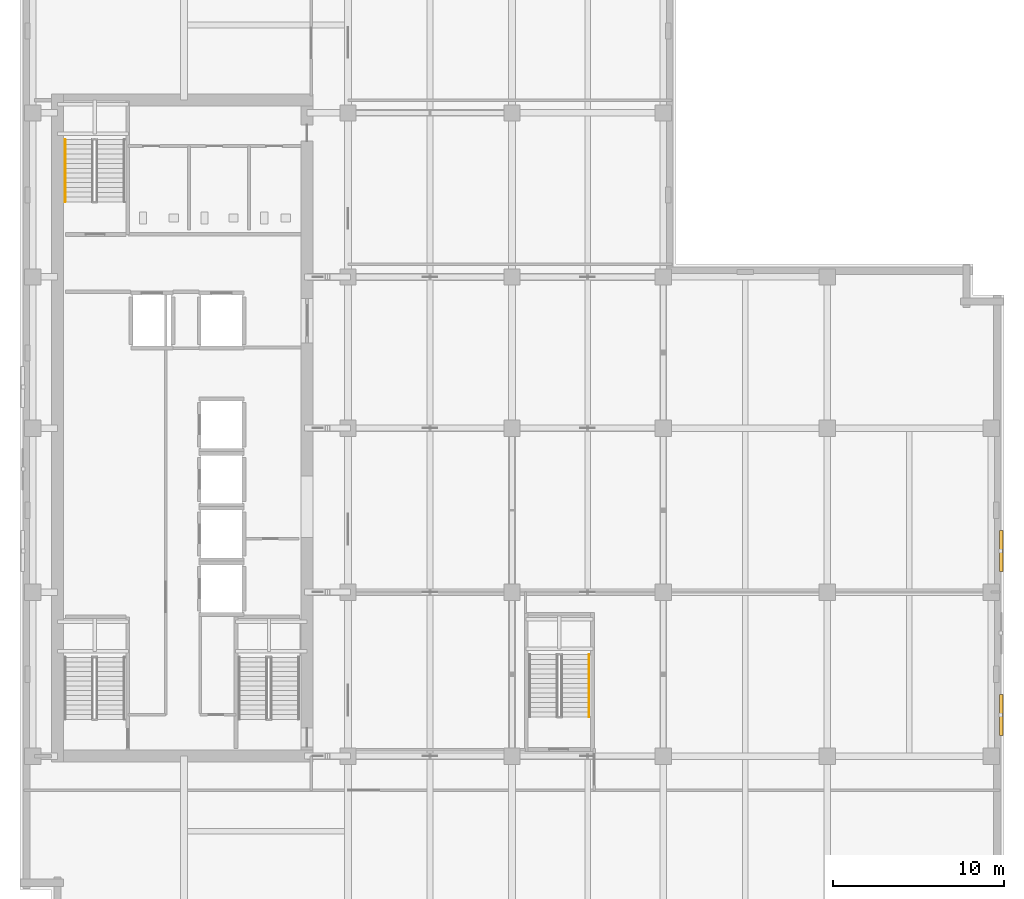
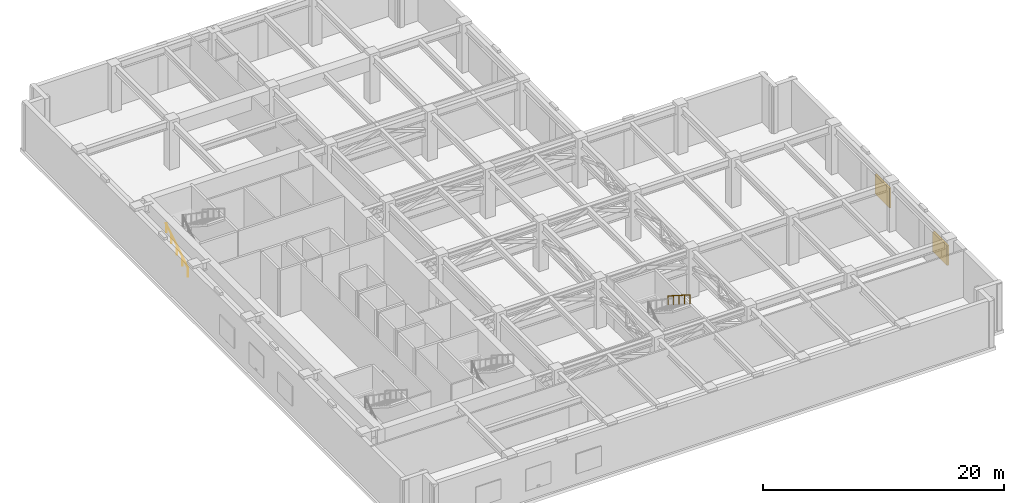
# One storey, part 19 of 21: 2 railings, 2 shading devices.
"""IFC4 building model written with IfcOpenShell, lengths in metres."""

import ifcopenshell
import ifcopenshell.guid

model = None  # the IFC model being written
_history = None  # IfcOwnerHistory: only IFC2X3 demands one
_inside = {}  # id of a spatial element -> (the spatial element, [elements in it])
_under = {}  # id of a project, library or spatial element -> (it, [spatial elements below it])
_declared = {}  # id of a project -> (the project, [libraries it declares])
_typed = {}  # id of a type object -> (the type object, [elements of that type])
_made_of = {}  # id of a material, layer set ... -> (it, [elements and type objects made of it])


def new_model(schema):
    """Start an empty IFC model of exactly this schema.

    Asked for "IFC4X3", IfcOpenShell would pick the latest addendum, in which some entities
    have other attributes; the version numbers below select the first issue.
    IFC2X3 requires an IfcOwnerHistory on every rooted entity: one is made here for all.
    """
    global model, _history
    if schema == "IFC4X3":
        model = ifcopenshell.file(schema_version=(4, 3, 0, 0))
    else:
        model = ifcopenshell.file(schema=schema)
    _inside.clear()
    _under.clear()
    _declared.clear()
    _typed.clear()
    _made_of.clear()
    _history = None
    if model.schema == "IFC2X3":
        org = make("IfcOrganization", Name="unknown")
        user = make(
            "IfcPersonAndOrganization",
            ThePerson=make("IfcPerson", FamilyName="unknown"),
            TheOrganization=org,
        )
        app = make(
            "IfcApplication",
            ApplicationDeveloper=org,
            Version="unknown",
            ApplicationFullName="unknown",
            ApplicationIdentifier="unknown",
        )
        _history = make(
            "IfcOwnerHistory",
            OwningUser=user,
            OwningApplication=app,
            ChangeAction="ADDED",
            CreationDate=0,
        )
    return model


def make(cls, **values):
    """One entity of the class cls with the attributes given. An attribute that is None is left unset."""
    return model.create_entity(
        cls, **{name: value for name, value in values.items() if value is not None}
    )


def rooted(cls, **values):
    """An entity with a GlobalId (a new one), such as an element, a storey or a relation."""
    return make(cls, GlobalId=ifcopenshell.guid.new(), OwnerHistory=_history, **values)


def si_unit(unit_type, name, prefix=None):
    """IfcSIUnit, for example si_unit("LENGTHUNIT", "METRE", prefix="MILLI")."""
    return make("IfcSIUnit", UnitType=unit_type, Prefix=prefix, Name=name)


def assignment(units):
    """IfcUnitAssignment: the units of a project."""
    return None if units is None else make("IfcUnitAssignment", Units=units)


def point(xyz):
    """IfcCartesianPoint."""
    return None if xyz is None else make("IfcCartesianPoint", Coordinates=xyz)


def direction(xyz):
    """IfcDirection."""
    return None if xyz is None else make("IfcDirection", DirectionRatios=xyz)


def frame(location, z_axis=None, x_axis=None):
    """IfcAxis2Placement3D, a coordinate frame: its origin and axes. An axis left out is left unset."""
    return make(
        "IfcAxis2Placement3D",
        Location=point(location),
        Axis=direction(z_axis),
        RefDirection=direction(x_axis),
    )


def frame_2d(location, x_axis=None):
    """IfcAxis2Placement2D, a coordinate frame in the plane: its origin and x axis."""
    return make(
        "IfcAxis2Placement2D", Location=point(location), RefDirection=direction(x_axis)
    )


def origin():
    """The frame at (0, 0, 0) with its axes left unset."""
    return frame((0.0, 0.0, 0.0))


def origin_2d():
    """The frame at (0, 0) in the plane with its x axis left unset."""
    return frame_2d((0.0, 0.0))


def place(relative_to, where):
    """IfcLocalPlacement: puts the frame where relative to a parent placement (None: the world)."""
    return make(
        "IfcLocalPlacement", PlacementRelTo=relative_to, RelativePlacement=where
    )


def context(
    kind, dimensions, precision=None, world=None, true_north=None, identifier=None
):
    """IfcGeometricRepresentationContext, for example the 3D "Model" context."""
    return make(
        "IfcGeometricRepresentationContext",
        ContextIdentifier=identifier,
        ContextType=kind,
        CoordinateSpaceDimension=dimensions,
        Precision=precision,
        WorldCoordinateSystem=world,
        TrueNorth=true_north,
    )


def subcontext(parent, identifier, kind, view, scale=None):
    """IfcGeometricRepresentationSubContext, for example "Body" below "Model"."""
    return make(
        "IfcGeometricRepresentationSubContext",
        ContextIdentifier=identifier,
        ContextType=kind,
        ParentContext=parent,
        TargetScale=scale,
        TargetView=view,
    )


def project(units=None, contexts=None):
    """IfcProject with its units and contexts."""
    return rooted(
        "IfcProject",
        Name="project",
        RepresentationContexts=contexts,
        UnitsInContext=assignment(units),
    )


def spatial(cls, under=None, at=None, **own):
    """A site, building, storey or space (cls), placed at a placement, below another one or the project."""
    s = rooted(cls, ObjectPlacement=at, **own)
    if under is not None:
        _under.setdefault(under.id(), (under, []))[1].append(s)
    return s


def profile(cls, at=None, kind="AREA", **sizes):
    """A parametric profile (cls). Its sizes go by their IFC names, for example OverallWidth=200.0."""
    return make(cls, ProfileType=kind, Position=at, **sizes)


def rectangle(**sizes):
    """IfcRectangleProfileDef."""
    return profile("IfcRectangleProfileDef", **sizes)


def circle(**sizes):
    """IfcCircleProfileDef."""
    return profile("IfcCircleProfileDef", **sizes)


def extrude(swept, where, along, depth):
    """IfcExtrudedAreaSolid: the profile swept, set in the frame where, extruded along a direction by depth."""
    return make(
        "IfcExtrudedAreaSolid",
        SweptArea=swept,
        Position=where,
        ExtrudedDirection=direction(along),
        Depth=depth,
    )


def shape(context_of_items, identifier, shape_type, items):
    """IfcShapeRepresentation: the items that make up one representation, for example the "Body"."""
    return make(
        "IfcShapeRepresentation",
        ContextOfItems=context_of_items,
        RepresentationIdentifier=identifier,
        RepresentationType=shape_type,
        Items=items,
    )


def material(Name=None, Category=None):
    """IfcMaterial."""
    return make("IfcMaterial", Name=Name, Category=Category)


def layer(
    of_material, thickness, ventilated=None, Name=None, Category=None, Priority=None
):
    """IfcMaterialLayer: one layer of a wall or slab, of a material (None: an air gap)."""
    return make(
        "IfcMaterialLayer",
        Material=of_material,
        LayerThickness=thickness,
        IsVentilated=ventilated,
        Name=Name,
        Category=Category,
        Priority=Priority,
    )


def layer_set(layers, Name=None):
    """IfcMaterialLayerSet."""
    return make("IfcMaterialLayerSet", MaterialLayers=layers, LayerSetName=Name)


def made_of(thing, what):
    """Note that an element or type object is made of a material, layer set ...; save() writes the relation."""
    if what is not None:
        _made_of.setdefault(what.id(), (what, []))[1].append(thing)
    return thing


def type_object(cls, material=None, **own):
    """A type object (cls), such as IfcWallType, which elements share."""
    return made_of(rooted(cls, **own), material)


def element(
    cls,
    number,
    at=None,
    inside=None,
    cuts=None,
    type_object=None,
    material=None,
    context=None,
    identifier="Body",
    shape_type=None,
    held_by="IfcProductDefinitionShape",
    body=None,
    shapes=None,
    **own,
):
    """One element of the class cls, such as IfcWall. Its Tag is "e" and its number.

    at: its placement. inside: the storey or other place that contains it. cuts: it is an
    opening in that element (IfcRelVoidsElement). A single representation is given by context,
    identifier, shape_type and body (its items); several are given by shapes. held_by: the class
    of the entity that holds the representations. save() writes the other relations.
    """
    e = rooted(cls, Tag="e%d" % number, ObjectPlacement=at, **own)
    if body is not None:
        shapes = [shape(context, identifier, shape_type, body)]
    if shapes is not None:
        e.Representation = make(held_by, Representations=shapes)
    if inside is not None:
        _inside.setdefault(inside.id(), (inside, []))[1].append(e)
    if cuts is not None:
        rooted(
            "IfcRelVoidsElement", RelatingBuildingElement=cuts, RelatedOpeningElement=e
        )
    if type_object is not None:
        _typed.setdefault(type_object.id(), (type_object, []))[1].append(e)
    return made_of(e, material)


def aggregate(whole, parts):
    """IfcRelAggregates: a whole, such as a stair, and the parts it consists of."""
    return rooted("IfcRelAggregates", RelatingObject=whole, RelatedObjects=parts)


def save(model, path):
    """Write the relations noted so far, then the file.

    IfcRelAggregates (storeys below a building ...), IfcRelContainedInSpatialStructure (elements
    in a storey), IfcRelDefinesByType, IfcRelAssociatesMaterial and IfcRelDeclares: one each for
    every whole, place, type object, material and project.
    """
    for whole, parts in _under.values():
        aggregate(whole, parts)
    for where, things in _inside.values():
        rooted(
            "IfcRelContainedInSpatialStructure",
            RelatedElements=things,
            RelatingStructure=where,
        )
    for kind, things in _typed.values():
        rooted("IfcRelDefinesByType", RelatedObjects=things, RelatingType=kind)
    for what, things in _made_of.values():
        rooted("IfcRelAssociatesMaterial", RelatedObjects=things, RelatingMaterial=what)
    for by, libraries in _declared.values():
        rooted("IfcRelDeclares", RelatingContext=by, RelatedDefinitions=libraries)
    model.write(path)


model = new_model("IFC4")

# Units and contexts
model_context = context("Model", 3, precision=1e-05, world=origin(), true_north=direction((0.0, 1.0)))
body_context = subcontext(model_context, "Body", "Model", "MODEL_VIEW")
ifc_project = project(units=[si_unit("LENGTHUNIT", "METRE"), si_unit("AREAUNIT", "SQUARE_METRE"), si_unit("VOLUMEUNIT", "CUBIC_METRE"), si_unit("PLANEANGLEUNIT", "RADIAN"), si_unit("MASSUNIT", "GRAM", prefix="KILO")], contexts=[model_context])

# Site, building, storey
site_placement = place(None, origin())
site = spatial("IfcSite", under=ifc_project, at=site_placement, CompositionType="ELEMENT")
building_placement = place(site_placement, origin())
building = spatial("IfcBuilding", under=site, at=building_placement, Name="Norrvale University Quadrangle", CompositionType="ELEMENT")
storey_placement = place(building_placement, frame((0.0, 0.0, 194.0)))
storey = spatial("IfcBuildingStorey", under=building, at=storey_placement, Name="L49", CompositionType="ELEMENT", Elevation=194.0)

# Railings
ifc_material_1 = material(Name="Stainless Steel 316L Handrail", Category="steel")
railing_type = type_object("IfcRailingType", Name="Railing Stair Handrail 920", PredefinedType="HANDRAIL", material=ifc_material_1)
railing_1_placement = place(storey_placement, frame((2.639892578125, 42.050048828125, 0.1787109375)))
element("IfcRailing", 1, at=railing_1_placement, inside=storey, type_object=railing_type, Name="Stair Lower Flight Handrail ST-02 L49", PredefinedType="HANDRAIL", context=body_context, shape_type="SweptSolid", body=[
    extrude(circle(Radius=0.02392578125, at=origin_2d()), frame((0.0, 0.0, 0.89599609375), z_axis=(0.0, 0.843137146238, 0.537698570422), x_axis=(-1.0, 0.0, 0.0)), (0.0, 0.0, 1.0), 4.317138671875),
    extrude(circle(Radius=0.02099609375, at=origin_2d()), origin(), (0.0, 0.0, 1.0), 0.871826171875),
    extrude(circle(Radius=0.02099609375, at=origin_2d()), frame((0.0, 0.909912109375, 0.580322265625)), (0.0, 0.0, 1.0), 0.871826171875),
    extrude(circle(Radius=0.02099609375, at=origin_2d()), frame((0.0, 1.81982421875, 1.16064453125)), (0.0, 0.0, 1.0), 0.871826171875),
    extrude(circle(Radius=0.02099609375, at=origin_2d()), frame((0.0, 2.72998046875, 1.740966796875)), (0.0, 0.0, 1.0), 0.871826171875),
    extrude(circle(Radius=0.02099609375, at=origin_2d()), frame((0.0, 3.639892578125, 2.3212890625)), (0.0, 0.0, 1.0), 0.871826171875),
])
railing_2_placement = place(storey_placement, frame((33.31005859375, 15.5400390625, 2.6787109375)))
element("IfcRailing", 2, at=railing_2_placement, inside=storey, type_object=railing_type, Name="Stair Upper Flight Handrail ST-04 L49", PredefinedType="HANDRAIL", context=body_context, shape_type="SweptSolid", body=[
    extrude(circle(Radius=0.02392578125, at=origin_2d()), frame((0.0, 0.0, 0.89599609375), z_axis=(0.0, -0.843153495434, 0.537672933239), x_axis=(1.0, 0.0, 0.0)), (0.0, 0.0, 1.0), 4.3173828125),
    extrude(circle(Radius=0.02099609375, at=origin_2d()), origin(), (0.0, 0.0, 1.0), 0.871826171875),
    extrude(circle(Radius=0.02099609375, at=origin_2d()), frame((0.0, -0.91015625, 0.580322265625)), (0.0, 0.0, 1.0), 0.871826171875),
    extrude(circle(Radius=0.02099609375, at=origin_2d()), frame((0.0, -1.820068359375, 1.16064453125)), (0.0, 0.0, 1.0), 0.871826171875),
    extrude(circle(Radius=0.02099609375, at=origin_2d()), frame((0.0, -2.72998046875, 1.740966796875)), (0.0, 0.0, 1.0), 0.871826171875),
    extrude(circle(Radius=0.02099609375, at=origin_2d()), frame((0.0, -3.64013671875, 2.3212890625)), (0.0, 0.0, 1.0), 0.871826171875),
])

# Shading devices
ifc_material_2 = material(Name="Anodized Aluminium 6063-T6", Category="aluminium")
ifc_layer = layer(ifc_material_2, 0.179931640625, Name="Anodized Aluminium 6063-T6")
ifc_layer_set = layer_set([ifc_layer], Name="Anodized Aluminium 6063-T6")
shading_device_type = type_object("IfcShadingDeviceType", Name="Shade Louvre 180", PredefinedType="JALOUSIE", material=ifc_layer_set)
for number, where, z_axis, x_axis, name in (
    (3, (57.43994140625, 12.0, 1.10009765625), (0.0, 0.0, 1.0), (0.0, 1.0, 0.0), "Plant Intake Weather Louvre 010"),
    (4, (57.43994140625, 21.60009765625, 1.10009765625), (0.0, 0.0, 1.0), (0.0, 1.0, 0.0), "Plant Intake Weather Louvre 011"),
):
    element("IfcShadingDevice", number, at=place(storey_placement, frame(where, z_axis=z_axis, x_axis=x_axis)), inside=storey, type_object=shading_device_type, Name=name, PredefinedType="JALOUSIE", context=body_context, shape_type="SweptSolid", body=[
        extrude(rectangle(XDim=2.39990234375, YDim=0.179931640625, at=origin_2d()), origin(), (0.0, 0.0, 1.0), 2.0),
    ])

save(model, "model.ifc")
